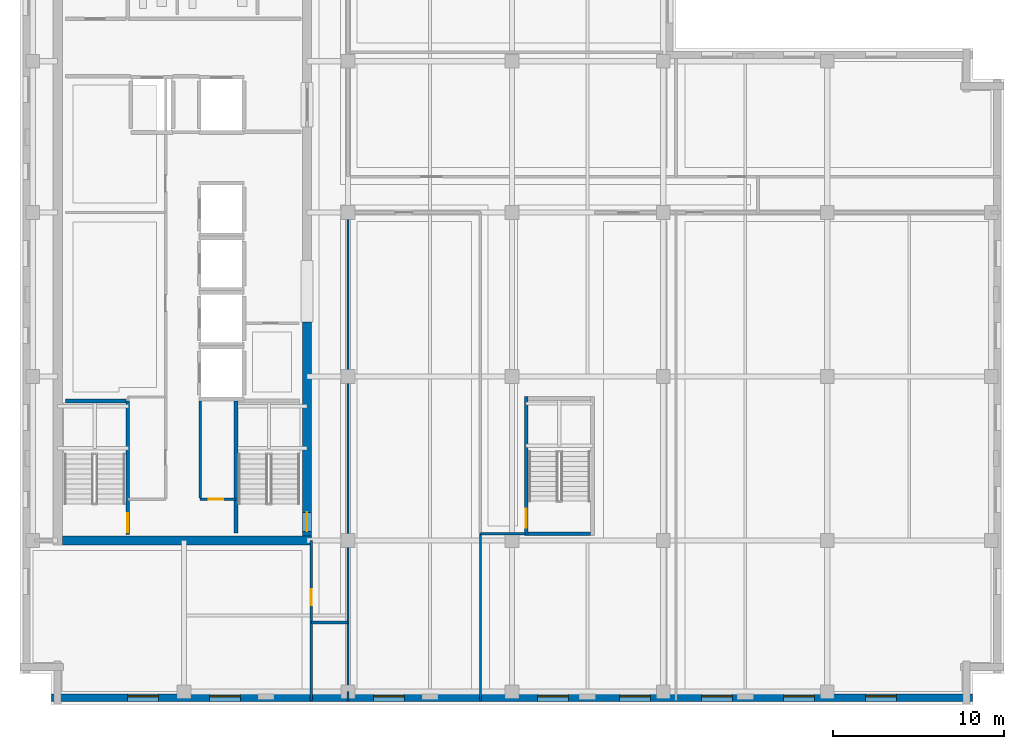
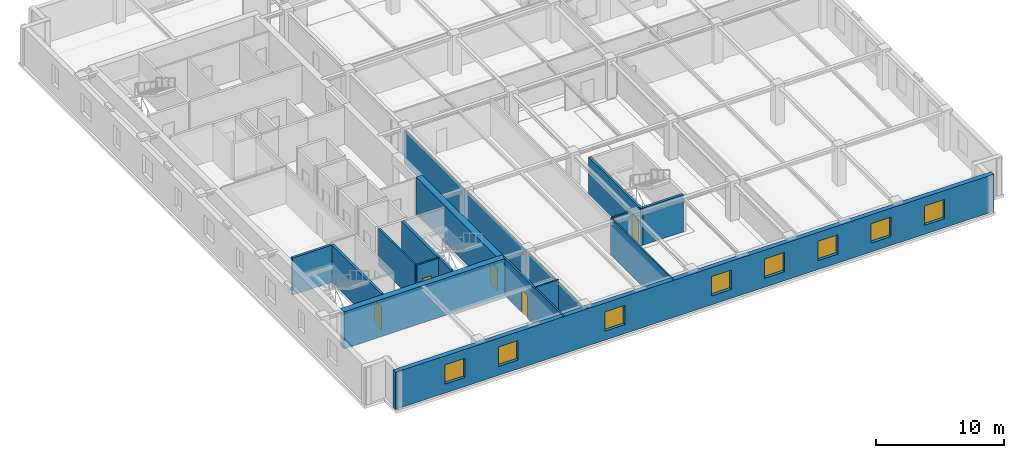
# One storey, part 3 of 12: 16 walls, 8 windows, 5 doors, 13 openings.
"""IFC4 building model written with IfcOpenShell, lengths in metres."""

import ifcopenshell
import ifcopenshell.guid

model = None  # the IFC model being written
_history = None  # IfcOwnerHistory: only IFC2X3 demands one
_inside = {}  # id of a spatial element -> (the spatial element, [elements in it])
_under = {}  # id of a project, library or spatial element -> (it, [spatial elements below it])
_declared = {}  # id of a project -> (the project, [libraries it declares])
_typed = {}  # id of a type object -> (the type object, [elements of that type])
_made_of = {}  # id of a material, layer set ... -> (it, [elements and type objects made of it])


def new_model(schema):
    """Start an empty IFC model of exactly this schema.

    Asked for "IFC4X3", IfcOpenShell would pick the latest addendum, in which some entities
    have other attributes; the version numbers below select the first issue.
    IFC2X3 requires an IfcOwnerHistory on every rooted entity: one is made here for all.
    """
    global model, _history
    if schema == "IFC4X3":
        model = ifcopenshell.file(schema_version=(4, 3, 0, 0))
    else:
        model = ifcopenshell.file(schema=schema)
    _inside.clear()
    _under.clear()
    _declared.clear()
    _typed.clear()
    _made_of.clear()
    _history = None
    if model.schema == "IFC2X3":
        org = make("IfcOrganization", Name="unknown")
        user = make(
            "IfcPersonAndOrganization",
            ThePerson=make("IfcPerson", FamilyName="unknown"),
            TheOrganization=org,
        )
        app = make(
            "IfcApplication",
            ApplicationDeveloper=org,
            Version="unknown",
            ApplicationFullName="unknown",
            ApplicationIdentifier="unknown",
        )
        _history = make(
            "IfcOwnerHistory",
            OwningUser=user,
            OwningApplication=app,
            ChangeAction="ADDED",
            CreationDate=0,
        )
    return model


def make(cls, **values):
    """One entity of the class cls with the attributes given. An attribute that is None is left unset."""
    return model.create_entity(
        cls, **{name: value for name, value in values.items() if value is not None}
    )


def rooted(cls, **values):
    """An entity with a GlobalId (a new one), such as an element, a storey or a relation."""
    return make(cls, GlobalId=ifcopenshell.guid.new(), OwnerHistory=_history, **values)


def si_unit(unit_type, name, prefix=None):
    """IfcSIUnit, for example si_unit("LENGTHUNIT", "METRE", prefix="MILLI")."""
    return make("IfcSIUnit", UnitType=unit_type, Prefix=prefix, Name=name)


def assignment(units):
    """IfcUnitAssignment: the units of a project."""
    return None if units is None else make("IfcUnitAssignment", Units=units)


def point(xyz):
    """IfcCartesianPoint."""
    return None if xyz is None else make("IfcCartesianPoint", Coordinates=xyz)


def direction(xyz):
    """IfcDirection."""
    return None if xyz is None else make("IfcDirection", DirectionRatios=xyz)


def frame(location, z_axis=None, x_axis=None):
    """IfcAxis2Placement3D, a coordinate frame: its origin and axes. An axis left out is left unset."""
    return make(
        "IfcAxis2Placement3D",
        Location=point(location),
        Axis=direction(z_axis),
        RefDirection=direction(x_axis),
    )


def frame_2d(location, x_axis=None):
    """IfcAxis2Placement2D, a coordinate frame in the plane: its origin and x axis."""
    return make(
        "IfcAxis2Placement2D", Location=point(location), RefDirection=direction(x_axis)
    )


def origin():
    """The frame at (0, 0, 0) with its axes left unset."""
    return frame((0.0, 0.0, 0.0))


def place(relative_to, where):
    """IfcLocalPlacement: puts the frame where relative to a parent placement (None: the world)."""
    return make(
        "IfcLocalPlacement", PlacementRelTo=relative_to, RelativePlacement=where
    )


def context(
    kind, dimensions, precision=None, world=None, true_north=None, identifier=None
):
    """IfcGeometricRepresentationContext, for example the 3D "Model" context."""
    return make(
        "IfcGeometricRepresentationContext",
        ContextIdentifier=identifier,
        ContextType=kind,
        CoordinateSpaceDimension=dimensions,
        Precision=precision,
        WorldCoordinateSystem=world,
        TrueNorth=true_north,
    )


def subcontext(parent, identifier, kind, view, scale=None):
    """IfcGeometricRepresentationSubContext, for example "Body" below "Model"."""
    return make(
        "IfcGeometricRepresentationSubContext",
        ContextIdentifier=identifier,
        ContextType=kind,
        ParentContext=parent,
        TargetScale=scale,
        TargetView=view,
    )


def project(units=None, contexts=None):
    """IfcProject with its units and contexts."""
    return rooted(
        "IfcProject",
        Name="project",
        RepresentationContexts=contexts,
        UnitsInContext=assignment(units),
    )


def spatial(cls, under=None, at=None, **own):
    """A site, building, storey or space (cls), placed at a placement, below another one or the project."""
    s = rooted(cls, ObjectPlacement=at, **own)
    if under is not None:
        _under.setdefault(under.id(), (under, []))[1].append(s)
    return s


def profile(cls, at=None, kind="AREA", **sizes):
    """A parametric profile (cls). Its sizes go by their IFC names, for example OverallWidth=200.0."""
    return make(cls, ProfileType=kind, Position=at, **sizes)


def rectangle(**sizes):
    """IfcRectangleProfileDef."""
    return profile("IfcRectangleProfileDef", **sizes)


def extrude(swept, where, along, depth):
    """IfcExtrudedAreaSolid: the profile swept, set in the frame where, extruded along a direction by depth."""
    return make(
        "IfcExtrudedAreaSolid",
        SweptArea=swept,
        Position=where,
        ExtrudedDirection=direction(along),
        Depth=depth,
    )


def shape(context_of_items, identifier, shape_type, items):
    """IfcShapeRepresentation: the items that make up one representation, for example the "Body"."""
    return make(
        "IfcShapeRepresentation",
        ContextOfItems=context_of_items,
        RepresentationIdentifier=identifier,
        RepresentationType=shape_type,
        Items=items,
    )


def material(Name=None, Category=None):
    """IfcMaterial."""
    return make("IfcMaterial", Name=Name, Category=Category)


def layer(
    of_material, thickness, ventilated=None, Name=None, Category=None, Priority=None
):
    """IfcMaterialLayer: one layer of a wall or slab, of a material (None: an air gap)."""
    return make(
        "IfcMaterialLayer",
        Material=of_material,
        LayerThickness=thickness,
        IsVentilated=ventilated,
        Name=Name,
        Category=Category,
        Priority=Priority,
    )


def layer_set(layers, Name=None):
    """IfcMaterialLayerSet."""
    return make("IfcMaterialLayerSet", MaterialLayers=layers, LayerSetName=Name)


def made_of(thing, what):
    """Note that an element or type object is made of a material, layer set ...; save() writes the relation."""
    if what is not None:
        _made_of.setdefault(what.id(), (what, []))[1].append(thing)
    return thing


def type_object(cls, material=None, **own):
    """A type object (cls), such as IfcWallType, which elements share."""
    return made_of(rooted(cls, **own), material)


def element(
    cls,
    number,
    at=None,
    inside=None,
    cuts=None,
    type_object=None,
    material=None,
    context=None,
    identifier="Body",
    shape_type=None,
    held_by="IfcProductDefinitionShape",
    body=None,
    shapes=None,
    **own,
):
    """One element of the class cls, such as IfcWall. Its Tag is "e" and its number.

    at: its placement. inside: the storey or other place that contains it. cuts: it is an
    opening in that element (IfcRelVoidsElement). A single representation is given by context,
    identifier, shape_type and body (its items); several are given by shapes. held_by: the class
    of the entity that holds the representations. save() writes the other relations.
    """
    e = rooted(cls, Tag="e%d" % number, ObjectPlacement=at, **own)
    if body is not None:
        shapes = [shape(context, identifier, shape_type, body)]
    if shapes is not None:
        e.Representation = make(held_by, Representations=shapes)
    if inside is not None:
        _inside.setdefault(inside.id(), (inside, []))[1].append(e)
    if cuts is not None:
        rooted(
            "IfcRelVoidsElement", RelatingBuildingElement=cuts, RelatedOpeningElement=e
        )
    if type_object is not None:
        _typed.setdefault(type_object.id(), (type_object, []))[1].append(e)
    return made_of(e, material)


def fill(opening, filler):
    """IfcRelFillsElement: the door or window that sits in an opening."""
    return rooted(
        "IfcRelFillsElement",
        RelatingOpeningElement=opening,
        RelatedBuildingElement=filler,
    )


def aggregate(whole, parts):
    """IfcRelAggregates: a whole, such as a stair, and the parts it consists of."""
    return rooted("IfcRelAggregates", RelatingObject=whole, RelatedObjects=parts)


def save(model, path):
    """Write the relations noted so far, then the file.

    IfcRelAggregates (storeys below a building ...), IfcRelContainedInSpatialStructure (elements
    in a storey), IfcRelDefinesByType, IfcRelAssociatesMaterial and IfcRelDeclares: one each for
    every whole, place, type object, material and project.
    """
    for whole, parts in _under.values():
        aggregate(whole, parts)
    for where, things in _inside.values():
        rooted(
            "IfcRelContainedInSpatialStructure",
            RelatedElements=things,
            RelatingStructure=where,
        )
    for kind, things in _typed.values():
        rooted("IfcRelDefinesByType", RelatedObjects=things, RelatingType=kind)
    for what, things in _made_of.values():
        rooted("IfcRelAssociatesMaterial", RelatedObjects=things, RelatingMaterial=what)
    for by, libraries in _declared.values():
        rooted("IfcRelDeclares", RelatingContext=by, RelatedDefinitions=libraries)
    model.write(path)


model = new_model("IFC4")

# Units and contexts
model_context = context("Model", 3, precision=1e-05, world=origin(), true_north=direction((0.0, 1.0)))
body_context = subcontext(model_context, "Body", "Model", "MODEL_VIEW")
ifc_project = project(units=[si_unit("LENGTHUNIT", "METRE"), si_unit("AREAUNIT", "SQUARE_METRE"), si_unit("VOLUMEUNIT", "CUBIC_METRE"), si_unit("PLANEANGLEUNIT", "RADIAN"), si_unit("MASSUNIT", "GRAM", prefix="KILO")], contexts=[model_context])

# Site, building, storey
site_placement = place(None, origin())
site = spatial("IfcSite", under=ifc_project, at=site_placement, CompositionType="ELEMENT")
building_placement = place(site_placement, origin())
building = spatial("IfcBuilding", under=site, at=building_placement, Name="Norrvale University Quadrangle", CompositionType="ELEMENT")
storey_placement = place(building_placement, frame((0.0, 0.0, 240.800048828125)))
storey = spatial("IfcBuildingStorey", under=building, at=storey_placement, Name="L61", CompositionType="ELEMENT", Elevation=240.800048828125)

# Wall, openings, windows
ifc_material_1 = material(Name="Buff Norman Clay Brick Masonry", Category="masonry")
ifc_layer_1 = layer(ifc_material_1, 0.419921875, Name="Buff Norman Clay Brick Masonry")
ifc_layer_set_1 = layer_set([ifc_layer_1], Name="Buff Norman Clay Brick Masonry")
wall_type_1 = type_object("IfcWallType", Name="Wall Buff Brick 420", PredefinedType="SOLIDWALL", material=ifc_layer_set_1)
wall_1_placement = place(storey_placement, frame((1.840087890625, 0.389892578125, 0.0), z_axis=(0.0, 0.0, 1.0), x_axis=(1.0, 0.0, 0.0)))
wall_1 = element("IfcWall", 1, at=wall_1_placement, inside=storey, type_object=wall_type_1, Name="Exterior Brick Facade Wall L61-01.1", PredefinedType="SOLIDWALL", context=body_context, shape_type="SweptSolid", body=[
    extrude(rectangle(XDim=53.919921875, YDim=0.419921875, at=frame_2d((26.9599609375, 0.0))), origin(), (0.0, 0.0, 1.0), 3.5400390625),
])
opening_1_placement = place(wall_1_placement, frame((4.4599609375, 0.0, 0.85009765625)))
opening_1 = element("IfcOpeningElement", 2, at=opening_1_placement, cuts=wall_1, Name="Opening W01", PredefinedType="OPENING", context=body_context, shape_type="SweptSolid", body=[
    extrude(rectangle(XDim=1.800048828125, YDim=1.85009765625, at=frame_2d((0.89990234375, 0.925048828125))), frame((0.0, 0.221923828125, 0.0), z_axis=(0.0, -1.0, 0.0), x_axis=(1.0, 0.0, 0.0)), (0.0, 0.0, 1.0), 0.44384765625),
])
opening_2_placement = place(wall_1_placement, frame((9.260009765625, 0.0, 0.85009765625)))
opening_2 = element("IfcOpeningElement", 3, at=opening_2_placement, cuts=wall_1, Name="Opening W01", PredefinedType="OPENING", context=body_context, shape_type="SweptSolid", body=[
    extrude(rectangle(XDim=1.800048828125, YDim=1.85009765625, at=frame_2d((0.89990234375, 0.925048828125))), frame((0.0, 0.221923828125, 0.0), z_axis=(0.0, -1.0, 0.0), x_axis=(1.0, 0.0, 0.0)), (0.0, 0.0, 1.0), 0.44384765625),
])
opening_3_placement = place(wall_1_placement, frame((18.860107421875, 0.0, 0.85009765625)))
opening_3 = element("IfcOpeningElement", 4, at=opening_3_placement, cuts=wall_1, Name="Opening W01", PredefinedType="OPENING", context=body_context, shape_type="SweptSolid", body=[
    extrude(rectangle(XDim=1.800048828125, YDim=1.85009765625, at=frame_2d((0.89990234375, 0.925048828125))), frame((0.0, 0.221923828125, 0.0), z_axis=(0.0, -1.0, 0.0), x_axis=(1.0, 0.0, 0.0)), (0.0, 0.0, 1.0), 0.44384765625),
])
opening_4_placement = place(wall_1_placement, frame((28.4599609375, 0.0, 0.85009765625)))
opening_4 = element("IfcOpeningElement", 5, at=opening_4_placement, cuts=wall_1, Name="Opening W01", PredefinedType="OPENING", context=body_context, shape_type="SweptSolid", body=[
    extrude(rectangle(XDim=1.800048828125, YDim=1.85009765625, at=frame_2d((0.89990234375, 0.925048828125))), frame((0.0, 0.221923828125, 0.0), z_axis=(0.0, -1.0, 0.0), x_axis=(1.0, 0.0, 0.0)), (0.0, 0.0, 1.0), 0.44384765625),
])
opening_5_placement = place(wall_1_placement, frame((33.260009765625, 0.0, 0.85009765625)))
opening_5 = element("IfcOpeningElement", 6, at=opening_5_placement, cuts=wall_1, Name="Opening W01", PredefinedType="OPENING", context=body_context, shape_type="SweptSolid", body=[
    extrude(rectangle(XDim=1.800048828125, YDim=1.85009765625, at=frame_2d((0.89990234375, 0.925048828125))), frame((0.0, 0.221923828125, 0.0), z_axis=(0.0, -1.0, 0.0), x_axis=(1.0, 0.0, 0.0)), (0.0, 0.0, 1.0), 0.44384765625),
])
opening_6_placement = place(wall_1_placement, frame((38.06005859375, 0.0, 0.85009765625)))
opening_6 = element("IfcOpeningElement", 7, at=opening_6_placement, cuts=wall_1, Name="Opening W01", PredefinedType="OPENING", context=body_context, shape_type="SweptSolid", body=[
    extrude(rectangle(XDim=1.800048828125, YDim=1.85009765625, at=frame_2d((0.89990234375, 0.925048828125))), frame((0.0, 0.221923828125, 0.0), z_axis=(0.0, -1.0, 0.0), x_axis=(1.0, 0.0, 0.0)), (0.0, 0.0, 1.0), 0.44384765625),
])
opening_7_placement = place(wall_1_placement, frame((42.860107421875, 0.0, 0.85009765625)))
opening_7 = element("IfcOpeningElement", 8, at=opening_7_placement, cuts=wall_1, Name="Opening W01", PredefinedType="OPENING", context=body_context, shape_type="SweptSolid", body=[
    extrude(rectangle(XDim=1.800048828125, YDim=1.85009765625, at=frame_2d((0.89990234375, 0.925048828125))), frame((0.0, 0.221923828125, 0.0), z_axis=(0.0, -1.0, 0.0), x_axis=(1.0, 0.0, 0.0)), (0.0, 0.0, 1.0), 0.44384765625),
])
opening_8_placement = place(wall_1_placement, frame((47.659912109375, 0.0, 0.85009765625)))
opening_8 = element("IfcOpeningElement", 9, at=opening_8_placement, cuts=wall_1, Name="Opening W01", PredefinedType="OPENING", context=body_context, shape_type="SweptSolid", body=[
    extrude(rectangle(XDim=1.800048828125, YDim=1.85009765625, at=frame_2d((0.89990234375, 0.925048828125))), frame((0.0, 0.221923828125, 0.0), z_axis=(0.0, -1.0, 0.0), x_axis=(1.0, 0.0, 0.0)), (0.0, 0.0, 1.0), 0.44384765625),
])
ifc_material_2 = material(Name="Triple Low-E Argon Glazing", Category="glass")
window_type = type_object("IfcWindowType", Name="Window Academic 1800x2300", PartitioningType="DOUBLE_PANEL_VERTICAL", PredefinedType="WINDOW", material=ifc_material_2)
window_1_placement = place(opening_1_placement, origin())
window_1 = element("IfcWindow", 10, at=window_1_placement, inside=storey, type_object=window_type, Name="Window Academic 1800x2300 WIN-L61-E01-1-01", OverallHeight=1.85009765625, OverallWidth=1.800048828125, PartitioningType="DOUBLE_PANEL_VERTICAL", PredefinedType="WINDOW", context=body_context, shape_type="SweptSolid", body=[
    extrude(rectangle(XDim=1.800048828125, YDim=1.85009765625, at=frame_2d((0.89990234375, 0.925048828125))), frame((0.0, 0.110107421875, 0.0), z_axis=(0.0, -1.0, 0.0), x_axis=(1.0, 0.0, 0.0)), (0.0, 0.0, 1.0), 0.06005859375),
])
fill(opening_1, window_1)
window_2_placement = place(opening_2_placement, origin())
window_2 = element("IfcWindow", 11, at=window_2_placement, inside=storey, type_object=window_type, Name="Window Academic 1800x2300 WIN-L61-E01-1-02", OverallHeight=1.85009765625, OverallWidth=1.800048828125, PartitioningType="DOUBLE_PANEL_VERTICAL", PredefinedType="WINDOW", context=body_context, shape_type="SweptSolid", body=[
    extrude(rectangle(XDim=1.800048828125, YDim=1.85009765625, at=frame_2d((0.89990234375, 0.925048828125))), frame((0.0, 0.110107421875, 0.0), z_axis=(0.0, -1.0, 0.0), x_axis=(1.0, 0.0, 0.0)), (0.0, 0.0, 1.0), 0.06005859375),
])
fill(opening_2, window_2)
window_3_placement = place(opening_3_placement, origin())
window_3 = element("IfcWindow", 12, at=window_3_placement, inside=storey, type_object=window_type, Name="Window Academic 1800x2300 WIN-L61-E01-1-03", OverallHeight=1.85009765625, OverallWidth=1.800048828125, PartitioningType="DOUBLE_PANEL_VERTICAL", PredefinedType="WINDOW", context=body_context, shape_type="SweptSolid", body=[
    extrude(rectangle(XDim=1.800048828125, YDim=1.85009765625, at=frame_2d((0.89990234375, 0.925048828125))), frame((0.0, 0.110107421875, 0.0), z_axis=(0.0, -1.0, 0.0), x_axis=(1.0, 0.0, 0.0)), (0.0, 0.0, 1.0), 0.06005859375),
])
fill(opening_3, window_3)
window_4_placement = place(opening_4_placement, origin())
window_4 = element("IfcWindow", 13, at=window_4_placement, inside=storey, type_object=window_type, Name="Window Academic 1800x2300 WIN-L61-E01-1-04", OverallHeight=1.85009765625, OverallWidth=1.800048828125, PartitioningType="DOUBLE_PANEL_VERTICAL", PredefinedType="WINDOW", context=body_context, shape_type="SweptSolid", body=[
    extrude(rectangle(XDim=1.800048828125, YDim=1.85009765625, at=frame_2d((0.89990234375, 0.925048828125))), frame((0.0, 0.110107421875, 0.0), z_axis=(0.0, -1.0, 0.0), x_axis=(1.0, 0.0, 0.0)), (0.0, 0.0, 1.0), 0.06005859375),
])
fill(opening_4, window_4)
window_5_placement = place(opening_5_placement, origin())
window_5 = element("IfcWindow", 14, at=window_5_placement, inside=storey, type_object=window_type, Name="Window Academic 1800x2300 WIN-L61-E01-1-05", OverallHeight=1.85009765625, OverallWidth=1.800048828125, PartitioningType="DOUBLE_PANEL_VERTICAL", PredefinedType="WINDOW", context=body_context, shape_type="SweptSolid", body=[
    extrude(rectangle(XDim=1.800048828125, YDim=1.85009765625, at=frame_2d((0.89990234375, 0.925048828125))), frame((0.0, 0.110107421875, 0.0), z_axis=(0.0, -1.0, 0.0), x_axis=(1.0, 0.0, 0.0)), (0.0, 0.0, 1.0), 0.06005859375),
])
fill(opening_5, window_5)
window_6_placement = place(opening_6_placement, origin())
window_6 = element("IfcWindow", 15, at=window_6_placement, inside=storey, type_object=window_type, Name="Window Academic 1800x2300 WIN-L61-E01-1-06", OverallHeight=1.85009765625, OverallWidth=1.800048828125, PartitioningType="DOUBLE_PANEL_VERTICAL", PredefinedType="WINDOW", context=body_context, shape_type="SweptSolid", body=[
    extrude(rectangle(XDim=1.800048828125, YDim=1.85009765625, at=frame_2d((0.89990234375, 0.925048828125))), frame((0.0, 0.110107421875, 0.0), z_axis=(0.0, -1.0, 0.0), x_axis=(1.0, 0.0, 0.0)), (0.0, 0.0, 1.0), 0.06005859375),
])
fill(opening_6, window_6)
window_7_placement = place(opening_7_placement, origin())
window_7 = element("IfcWindow", 16, at=window_7_placement, inside=storey, type_object=window_type, Name="Window Academic 1800x2300 WIN-L61-E01-1-07", OverallHeight=1.85009765625, OverallWidth=1.800048828125, PartitioningType="DOUBLE_PANEL_VERTICAL", PredefinedType="WINDOW", context=body_context, shape_type="SweptSolid", body=[
    extrude(rectangle(XDim=1.800048828125, YDim=1.85009765625, at=frame_2d((0.89990234375, 0.925048828125))), frame((0.0, 0.110107421875, 0.0), z_axis=(0.0, -1.0, 0.0), x_axis=(1.0, 0.0, 0.0)), (0.0, 0.0, 1.0), 0.06005859375),
])
fill(opening_7, window_7)
window_8_placement = place(opening_8_placement, origin())
window_8 = element("IfcWindow", 17, at=window_8_placement, inside=storey, type_object=window_type, Name="Window Academic 1800x2300 WIN-L61-E01-1-08", OverallHeight=1.85009765625, OverallWidth=1.800048828125, PartitioningType="DOUBLE_PANEL_VERTICAL", PredefinedType="WINDOW", context=body_context, shape_type="SweptSolid", body=[
    extrude(rectangle(XDim=1.800048828125, YDim=1.85009765625, at=frame_2d((0.89990234375, 0.925048828125))), frame((0.0, 0.110107421875, 0.0), z_axis=(0.0, -1.0, 0.0), x_axis=(1.0, 0.0, 0.0)), (0.0, 0.0, 1.0), 0.06005859375),
])
fill(opening_8, window_8)

# Wall
ifc_material_3 = material(Name="Concrete C60/75", Category="concrete")
ifc_layer_2 = layer(ifc_material_3, 0.550048828125, Name="Concrete C60/75")
ifc_layer_set_2 = layer_set([ifc_layer_2], Name="Concrete C60/75")
wall_type_2 = type_object("IfcWallType", Name="Wall Core 550", PredefinedType="SHEAR", material=ifc_layer_set_2)
wall_2_placement = place(storey_placement, frame((2.47509765625, 9.60009765625, 0.0), z_axis=(0.0, 0.0, 1.0), x_axis=(1.0, 0.0, 0.0)))
element("IfcWall", 18, at=wall_2_placement, inside=storey, type_object=wall_type_2, Name="Tower Core Shear Wall L61-S", PredefinedType="SHEAR", context=body_context, shape_type="SweptSolid", body=[
    extrude(rectangle(XDim=14.599853515625, YDim=0.550048828125, at=frame_2d((7.2998046875, 0.0))), origin(), (0.0, 0.0, 1.0), 3.5400390625),
])

# Wall, opening, door
wall_3_placement = place(storey_placement, frame((16.800048828125, 9.875, 0.0), z_axis=(0.0, 0.0, 1.0), x_axis=(0.0, 1.0, 0.0)))
wall_3 = element("IfcWall", 19, at=wall_3_placement, inside=storey, type_object=wall_type_2, Name="Tower Core Shear Wall L61-E1", PredefinedType="SHEAR", context=body_context, shape_type="SweptSolid", body=[
    extrude(rectangle(XDim=12.52490234375, YDim=0.550048828125, at=frame_2d((6.262451171875, 0.0))), origin(), (0.0, 0.0, 1.0), 3.5400390625),
])
opening_9_placement = place(wall_3_placement, frame((0.264892578125, 0.0, 0.0)))
opening_9 = element("IfcOpeningElement", 20, at=opening_9_placement, cuts=wall_3, Name="Opening D02", PredefinedType="OPENING", context=body_context, shape_type="SweptSolid", body=[
    extrude(rectangle(XDim=1.10009765625, YDim=2.199951171875, at=frame_2d((0.550048828125, 1.10009765625))), frame((0.0, 0.287109375, 0.0), z_axis=(0.0, -1.0, 0.0), x_axis=(1.0, 0.0, 0.0)), (0.0, 0.0, 1.0), 0.573974609375),
])
ifc_material_4 = material(Name="Hollow Steel 350W Fire Door", Category="steel")
door_type_1 = type_object("IfcDoorType", Name="Door Stair Exit 1100x2200", OperationType="NOTDEFINED", PredefinedType="DOOR", material=ifc_material_4)
door_1_placement = place(opening_9_placement, origin())
door_1 = element("IfcDoor", 21, at=door_1_placement, inside=storey, type_object=door_type_1, Name="Door Stair Exit 1100x2200 DR-L61-ST03", OperationType="SINGLE_SWING_LEFT", OverallHeight=2.199951171875, OverallWidth=1.10009765625, PredefinedType="DOOR", context=body_context, shape_type="SweptSolid", body=[
    extrude(rectangle(XDim=1.10009765625, YDim=2.199951171875, at=frame_2d((0.550048828125, 1.10009765625))), frame((0.0, 0.02490234375, 0.0), z_axis=(0.0, -1.0, 0.0), x_axis=(1.0, 0.0, 0.0)), (0.0, 0.0, 1.0), 0.050048828125),
])
fill(opening_9, door_1)

# Walls
ifc_material_5 = material(Name="Standard Academic Gypsum Partition")
ifc_layer_3 = layer(ifc_material_5, 0.125, Name="Standard Academic Gypsum Partition")
ifc_layer_set_3 = layer_set([ifc_layer_3], Name="Standard Academic Gypsum Partition")
wall_type_3 = type_object("IfcWallType", Name="Wall Gypsum Academic 125", PredefinedType="PARTITIONING", material=ifc_layer_set_3)
wall_4_placement = place(storey_placement, frame((19.199951171875, 0.219970703125, 0.0), z_axis=(0.0, 0.0, 1.0), x_axis=(0.0, 1.0, 0.0)))
element("IfcWall", 22, at=wall_4_placement, inside=storey, type_object=wall_type_3, Name="Interior Partition WL-L61-SE-W0", PredefinedType="PARTITIONING", context=body_context, shape_type="SweptSolid", body=[
    extrude(rectangle(XDim=0.530029296875, YDim=0.125, at=frame_2d((0.26513671875, 0.0))), origin(), (0.0, 0.0, 1.0), 3.5400390625),
])
wall_5_placement = place(storey_placement, frame((19.199951171875, 0.75, 0.0), z_axis=(0.0, 0.0, 1.0), x_axis=(0.0, 1.0, 0.0)))
element("IfcWall", 23, at=wall_5_placement, inside=storey, type_object=wall_type_3, Name="Interior Partition WL-L61-SE-W0-B2", PredefinedType="PARTITIONING", context=body_context, shape_type="SweptSolid", body=[
    extrude(rectangle(XDim=28.050048828125, YDim=0.125, at=frame_2d((14.02490234375, 0.0))), origin(), (0.0, 0.0, 1.0), 3.23193359375),
])
wall_6_placement = place(storey_placement, frame((26.949951171875, 0.219970703125, 0.0), z_axis=(0.0, 0.0, 1.0), x_axis=(0.0, 1.0, 0.0)))
element("IfcWall", 24, at=wall_6_placement, inside=storey, type_object=wall_type_3, Name="Interior Partition WL-L61-SEP1A", PredefinedType="PARTITIONING", context=body_context, shape_type="SweptSolid", body=[
    extrude(rectangle(XDim=9.780029296875, YDim=0.125, at=frame_2d((4.89013671875, 0.0))), origin(), (0.0, 0.0, 1.0), 3.5400390625),
])

# Wall, opening, door
ifc_material_6 = material(Name="Fire-Rated Gypsum Stud Partition")
ifc_layer_4 = layer(ifc_material_6, 0.14990234375, Name="Fire-Rated Gypsum Stud Partition")
ifc_layer_set_4 = layer_set([ifc_layer_4], Name="Fire-Rated Gypsum Stud Partition")
wall_type_4 = type_object("IfcWallType", Name="Wall Gypsum Corridor 150", PredefinedType="PARTITIONING", material=ifc_layer_set_4)
wall_7_placement = place(storey_placement, frame((10.550048828125, 12.02001953125, 0.0), z_axis=(0.0, 0.0, 1.0), x_axis=(1.0, 0.0, 0.0)))
wall_7 = element("IfcWall", 25, at=wall_7_placement, inside=storey, type_object=wall_type_4, Name="Interior Partition WL-L61-SC-NR", PredefinedType="PARTITIONING", context=body_context, shape_type="SweptSolid", body=[
    extrude(rectangle(XDim=2.079833984375, YDim=0.14990234375, at=frame_2d((1.0400390625, 0.0))), origin(), (0.0, 0.0, 1.0), 3.5400390625),
])
opening_10_placement = place(wall_7_placement, frame((0.5, 0.0, 0.0)))
opening_10 = element("IfcOpeningElement", 26, at=opening_10_placement, cuts=wall_7, Name="Opening D10", PredefinedType="OPENING", context=body_context, shape_type="SweptSolid", body=[
    extrude(rectangle(XDim=0.85009765625, YDim=2.10009765625, at=frame_2d((0.425048828125, 1.050048828125))), frame((0.0, 0.0869140625, 0.0), z_axis=(0.0, -1.0, 0.0), x_axis=(1.0, 0.0, 0.0)), (0.0, 0.0, 1.0), 0.173828125),
])
ifc_material_7 = material(Name="Hollow Steel 350W Riser Fire Door", Category="steel")
door_type_2 = type_object("IfcDoorType", Name="Door Riser 850x2100", OperationType="NOTDEFINED", PredefinedType="DOOR", material=ifc_material_7)
door_2_placement = place(opening_10_placement, origin())
door_2 = element("IfcDoor", 27, at=door_2_placement, inside=storey, type_object=door_type_2, Name="Door Riser 850x2100 DR-L61-IDF", OperationType="SINGLE_SWING_RIGHT", OverallHeight=2.10009765625, OverallWidth=0.85009765625, PredefinedType="DOOR", context=body_context, shape_type="SweptSolid", body=[
    extrude(rectangle(XDim=0.85009765625, YDim=2.10009765625, at=frame_2d((0.425048828125, 1.050048828125))), frame((0.0, 0.02490234375, 0.0), z_axis=(0.0, -1.0, 0.0), x_axis=(1.0, 0.0, 0.0)), (0.0, 0.0, 1.0), 0.050048828125),
])
fill(opening_10, door_2)

# Walls
wall_8_placement = place(storey_placement, frame((10.550048828125, 12.094970703125, 0.0), z_axis=(0.0, 0.0, 1.0), x_axis=(0.0, 1.0, 0.0)))
element("IfcWall", 28, at=wall_8_placement, inside=storey, type_object=wall_type_4, Name="Interior Partition WL-L61-SC-WR", PredefinedType="PARTITIONING", context=body_context, shape_type="SweptSolid", body=[
    extrude(rectangle(XDim=5.679931640625, YDim=0.14990234375, at=frame_2d((2.83984375, 0.0))), origin(), (0.0, 0.0, 1.0), 3.5400390625),
])
wall_9_placement = place(storey_placement, frame((17.050048828125, 4.800048828125, 0.0), z_axis=(0.0, 0.0, 1.0), x_axis=(1.0, 0.0, 0.0)))
element("IfcWall", 29, at=wall_9_placement, inside=storey, type_object=wall_type_4, Name="Interior Partition WL-L61-CSP-S", PredefinedType="PARTITIONING", context=body_context, shape_type="SweptSolid", body=[
    extrude(rectangle(XDim=2.14990234375, YDim=0.14990234375, at=frame_2d((1.074951171875, 0.0))), origin(), (0.0, 0.0, 1.0), 3.5400390625),
])

# Wall, opening, door
wall_10_placement = place(storey_placement, frame((17.050048828125, 0.219970703125, 0.0), z_axis=(0.0, 0.0, 1.0), x_axis=(0.0, 1.0, 0.0)))
wall_10 = element("IfcWall", 30, at=wall_10_placement, inside=storey, type_object=wall_type_4, Name="Interior Partition WL-L61-SW-E", PredefinedType="PARTITIONING", context=body_context, shape_type="SweptSolid", body=[
    extrude(rectangle(XDim=9.380126953125, YDim=0.14990234375, at=frame_2d((4.68994140625, 0.0))), origin(), (0.0, 0.0, 1.0), 3.5400390625),
])
opening_11_placement = place(wall_10_placement, frame((5.580078125, 0.0, 0.0)))
opening_11 = element("IfcOpeningElement", 31, at=opening_11_placement, cuts=wall_10, Name="Opening D07", PredefinedType="OPENING", context=body_context, shape_type="SweptSolid", body=[
    extrude(rectangle(XDim=0.949951171875, YDim=2.14990234375, at=frame_2d((0.47509765625, 1.074951171875))), frame((0.0, 0.0869140625, 0.0), z_axis=(0.0, -1.0, 0.0), x_axis=(1.0, 0.0, 0.0)), (0.0, 0.0, 1.0), 0.173828125),
])
ifc_material_8 = material(Name="Solid-Core Maple Door", Category="wood")
door_type_3 = type_object("IfcDoorType", Name="Door Office 950x2150", OperationType="NOTDEFINED", PredefinedType="DOOR", material=ifc_material_8)
door_3_placement = place(opening_11_placement, origin())
door_3 = element("IfcDoor", 32, at=door_3_placement, inside=storey, type_object=door_type_3, Name="Door Office 950x2150 DR-L61-SW1", OperationType="SINGLE_SWING_LEFT", OverallHeight=2.14990234375, OverallWidth=0.949951171875, PredefinedType="DOOR", context=body_context, shape_type="SweptSolid", body=[
    extrude(rectangle(XDim=0.949951171875, YDim=2.14990234375, at=frame_2d((0.47509765625, 1.074951171875))), frame((0.0, 0.02490234375, 0.0), z_axis=(0.0, -1.0, 0.0), x_axis=(1.0, 0.0, 0.0)), (0.0, 0.0, 1.0), 0.050048828125),
])
fill(opening_11, door_3)

# Wall
wall_11_placement = place(storey_placement, frame((26.949951171875, 10.0, 0.0), z_axis=(0.0, 0.0, 1.0), x_axis=(1.0, 0.0, 0.0)))
element("IfcWall", 33, at=wall_11_placement, inside=storey, type_object=wall_type_4, Name="Interior Partition WL-L61-SEP1C", PredefinedType="PARTITIONING", context=body_context, shape_type="SweptSolid", body=[
    extrude(rectangle(XDim=2.630126953125, YDim=0.14990234375, at=frame_2d((1.31494140625, 0.0))), origin(), (0.0, 0.0, 1.0), 3.5400390625),
])

# Wall, opening, door
ifc_material_9 = material(Name="Concrete Blockwork 20 MPa Fire Shaft", Category="masonry")
ifc_layer_5 = layer(ifc_material_9, 0.219970703125, Name="Concrete Blockwork 20 MPa Fire Shaft")
ifc_layer_set_5 = layer_set([ifc_layer_5], Name="Concrete Blockwork 20 MPa Fire Shaft")
wall_type_5 = type_object("IfcWallType", Name="Wall Shaft 220", PredefinedType="SOLIDWALL", material=ifc_layer_set_5)
wall_12_placement = place(storey_placement, frame((6.31005859375, 9.949951171875, 0.0), z_axis=(0.0, 0.0, 1.0), x_axis=(0.0, 1.0, 0.0)))
wall_12 = element("IfcWall", 34, at=wall_12_placement, inside=storey, type_object=wall_type_5, Name="Stair ST-01 East Shaft Wall L61", PredefinedType="SOLIDWALL", context=body_context, shape_type="SweptSolid", body=[
    extrude(rectangle(XDim=7.81005859375, YDim=0.219970703125, at=frame_2d((3.905029296875, 0.0))), origin(), (0.0, 0.0, 1.0), 3.5400390625),
])
opening_12_placement = place(wall_12_placement, frame((0.139892578125, 0.0, 0.0)))
opening_12 = element("IfcOpeningElement", 35, at=opening_12_placement, cuts=wall_12, Name="Opening D02", PredefinedType="OPENING", context=body_context, shape_type="SweptSolid", body=[
    extrude(rectangle(XDim=1.10009765625, YDim=2.199951171875, at=frame_2d((0.550048828125, 1.10009765625))), frame((0.0, 0.1220703125, 0.0), z_axis=(0.0, -1.0, 0.0), x_axis=(1.0, 0.0, 0.0)), (0.0, 0.0, 1.0), 0.243896484375),
])
door_4_placement = place(opening_12_placement, origin())
door_4 = element("IfcDoor", 36, at=door_4_placement, inside=storey, type_object=door_type_1, Name="Door Stair Exit 1100x2200 DR-L61-ST01", OperationType="SINGLE_SWING_LEFT", OverallHeight=2.199951171875, OverallWidth=1.10009765625, PredefinedType="DOOR", context=body_context, shape_type="SweptSolid", body=[
    extrude(rectangle(XDim=1.10009765625, YDim=2.199951171875, at=frame_2d((0.550048828125, 1.10009765625))), frame((0.0, 0.02490234375, 0.0), z_axis=(0.0, -1.0, 0.0), x_axis=(1.0, 0.0, 0.0)), (0.0, 0.0, 1.0), 0.050048828125),
])
fill(opening_12, door_4)

# Walls
wall_13_placement = place(storey_placement, frame((2.64990234375, 17.760009765625, 0.0), z_axis=(0.0, 0.0, 1.0), x_axis=(1.0, 0.0, 0.0)))
element("IfcWall", 37, at=wall_13_placement, inside=storey, type_object=wall_type_5, Name="Stair ST-01 North Shaft Wall L61", PredefinedType="SOLIDWALL", context=body_context, shape_type="SweptSolid", body=[
    extrude(rectangle(XDim=3.550048828125, YDim=0.219970703125, at=frame_2d((1.77490234375, 0.0))), origin(), (0.0, 0.0, 1.0), 3.5400390625),
])
wall_14_placement = place(storey_placement, frame((12.639892578125, 10.050048828125, 0.0), z_axis=(0.0, 0.0, 1.0), x_axis=(0.0, 1.0, 0.0)))
element("IfcWall", 38, at=wall_14_placement, inside=storey, type_object=wall_type_5, Name="Stair ST-03 West Shaft Wall L61", PredefinedType="SOLIDWALL", context=body_context, shape_type="SweptSolid", body=[
    extrude(rectangle(XDim=7.7099609375, YDim=0.219970703125, at=frame_2d((3.85498046875, 0.0))), origin(), (0.0, 0.0, 1.0), 3.5400390625),
])
wall_15_placement = place(storey_placement, frame((29.75, 9.989990234375, 0.0), z_axis=(0.0, 0.0, 1.0), x_axis=(1.0, 0.0, 0.0)))
element("IfcWall", 39, at=wall_15_placement, inside=storey, type_object=wall_type_5, Name="Stair ST-04 South Shaft Wall L61", PredefinedType="SOLIDWALL", context=body_context, shape_type="SweptSolid", body=[
    extrude(rectangle(XDim=3.64990234375, YDim=0.219970703125, at=frame_2d((1.824951171875, 0.0))), origin(), (0.0, 0.0, 1.0), 3.5400390625),
])

# Wall, opening, door
wall_16_placement = place(storey_placement, frame((29.639892578125, 9.8798828125, 0.0), z_axis=(0.0, 0.0, 1.0), x_axis=(0.0, 1.0, 0.0)))
wall_16 = element("IfcWall", 40, at=wall_16_placement, inside=storey, type_object=wall_type_5, Name="Stair ST-04 West Shaft Wall L61", PredefinedType="SOLIDWALL", context=body_context, shape_type="SweptSolid", body=[
    extrude(rectangle(XDim=8.14013671875, YDim=0.219970703125, at=frame_2d((4.070068359375, 0.0))), origin(), (0.0, 0.0, 1.0), 3.5400390625),
])
opening_13_placement = place(wall_16_placement, frame((0.469970703125, 0.0, 0.0)))
opening_13 = element("IfcOpeningElement", 41, at=opening_13_placement, cuts=wall_16, Name="Opening D02", PredefinedType="OPENING", context=body_context, shape_type="SweptSolid", body=[
    extrude(rectangle(XDim=1.10009765625, YDim=2.199951171875, at=frame_2d((0.550048828125, 1.10009765625))), frame((0.0, 0.1220703125, 0.0), z_axis=(0.0, -1.0, 0.0), x_axis=(1.0, 0.0, 0.0)), (0.0, 0.0, 1.0), 0.243896484375),
])
door_5_placement = place(opening_13_placement, frame((1.10009765625, 0.0, 0.0), z_axis=(0.0, 0.0, 1.0), x_axis=(-1.0, 0.0, 0.0)))
door_5 = element("IfcDoor", 42, at=door_5_placement, inside=storey, type_object=door_type_1, Name="Door Stair Exit 1100x2200 DR-L61-ST04", OperationType="SINGLE_SWING_RIGHT", OverallHeight=2.199951171875, OverallWidth=1.10009765625, PredefinedType="DOOR", context=body_context, shape_type="SweptSolid", body=[
    extrude(rectangle(XDim=1.10009765625, YDim=2.199951171875, at=frame_2d((0.550048828125, 1.10009765625))), frame((0.0, 0.02490234375, 0.0), z_axis=(0.0, -1.0, 0.0), x_axis=(1.0, 0.0, 0.0)), (0.0, 0.0, 1.0), 0.050048828125),
])
fill(opening_13, door_5)

save(model, "model.ifc")
